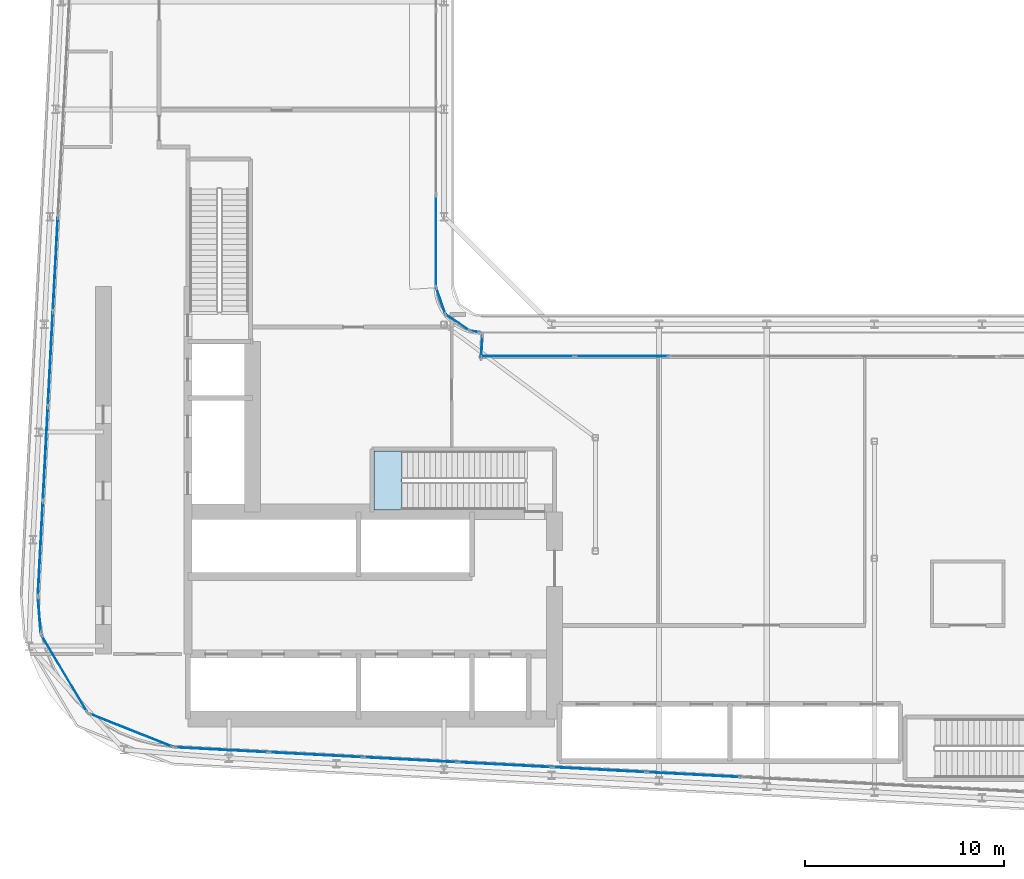
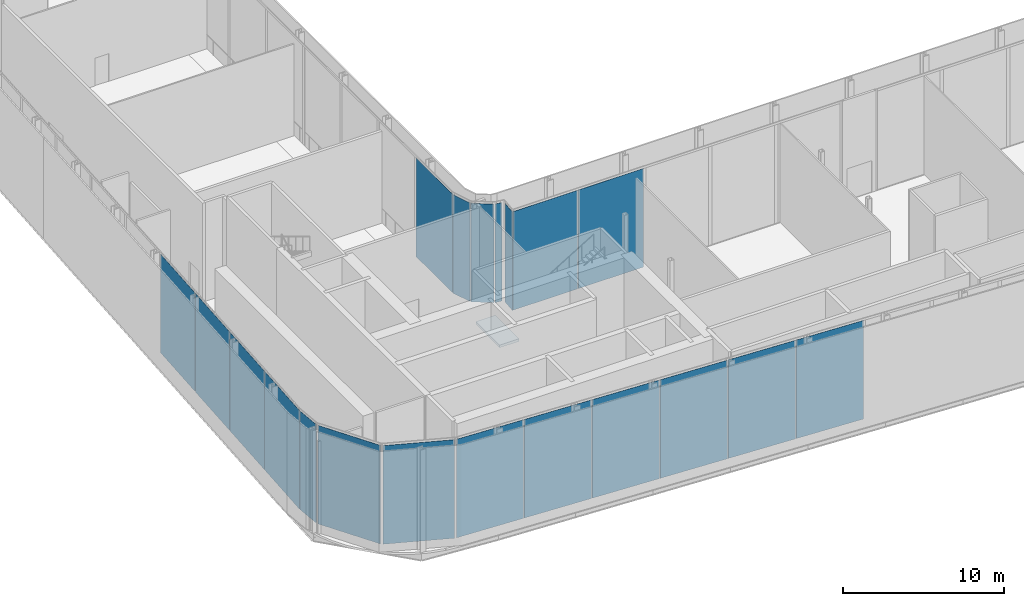
# One storey, part 22 of 37: 20 plates, 1 slab, 12 elements without a shape of their own.
"""IFC4 building model written with IfcOpenShell, lengths in metres."""

from ifc_helpers import new_model, si_unit, direction, frame, origin, origin_2d, place, context, subcontext, project, spatial, polyline, rectangle, outline, extrude, material, layer, layer_set, type_object, element, aggregate, save


model = new_model("IFC4")

# Units and contexts
model_context = context("Model", 3, precision=1e-05, world=origin(), true_north=direction((0.0, 1.0)))
body_context = subcontext(model_context, "Body", "Model", "MODEL_VIEW")
ifc_project = project(units=[si_unit("LENGTHUNIT", "METRE"), si_unit("AREAUNIT", "SQUARE_METRE"), si_unit("VOLUMEUNIT", "CUBIC_METRE"), si_unit("PLANEANGLEUNIT", "RADIAN"), si_unit("MASSUNIT", "GRAM", prefix="KILO")], contexts=[model_context])

# Site, building, storey
site_placement = place(None, origin())
site = spatial("IfcSite", under=ifc_project, at=site_placement, CompositionType="ELEMENT")
building_placement = place(site_placement, origin())
building = spatial("IfcBuilding", under=site, at=building_placement, Name="Kheshtan School and Residences Tower", CompositionType="ELEMENT")
storey_placement = place(building_placement, frame((0.0, 0.0, 144.800048828125)))
storey = spatial("IfcBuildingStorey", under=building, at=storey_placement, Name="L34", CompositionType="ELEMENT", Elevation=144.800048828125)

# Curtain wall, plates
ifc_material_1 = material(Name="Clear low-e glass in thermally broken aluminium frame", Category="aluminium")
ifc_layer_1 = layer(ifc_material_1, 0.25)
ifc_layer_set_1 = layer_set([ifc_layer_1], Name="Curtain wall CW-G")
curtain_wall_type_1 = type_object("IfcCurtainWallType", Name="Curtain wall CW-G", PredefinedType="NOTDEFINED", material=ifc_layer_set_1)
curtain_wall_1_placement = place(storey_placement, origin())
curtain_wall_1 = element("IfcCurtainWall", 1, at=curtain_wall_1_placement, inside=storey, type_object=curtain_wall_type_1, Name="Curtain wall CWG5", PredefinedType="NOTDEFINED")
ifc_layer_2 = layer(ifc_material_1, 0.0380859375)
ifc_layer_set_2 = layer_set([ifc_layer_2], Name="CW-G glass panel")
plate_type_1 = type_object("IfcPlateType", Name="CW-G glass panel", PredefinedType="CURTAIN_PANEL", material=ifc_layer_set_2)
plate_1_placement = place(storey_placement, frame((51.81640625, 44.0, 0.0), z_axis=(0.0, 0.0, 1.0), x_axis=(1.0, 0.0, 0.0)))
plate_1 = element("IfcPlate", 2, at=plate_1_placement, type_object=plate_type_1, Name="CWG5 panel 1.1", PredefinedType="CURTAIN_PANEL", context=body_context, shape_type="SweptSolid", body=[
    extrude(rectangle(XDim=4.647216796875, YDim=0.0380859375, at=origin_2d()), origin(), (0.0, 0.0, 1.0), 7.489990234375),
])
plate_2_placement = place(storey_placement, frame((56.5400390625, 44.0, 0.0), z_axis=(0.0, 0.0, 1.0), x_axis=(1.0, 0.0, 0.0)))
plate_2 = element("IfcPlate", 3, at=plate_2_placement, type_object=plate_type_1, Name="CWG5 panel 2.1", PredefinedType="CURTAIN_PANEL", context=body_context, shape_type="SweptSolid", body=[
    extrude(rectangle(XDim=4.679931640625, YDim=0.0380859375, at=origin_2d()), origin(), (0.0, 0.0, 1.0), 7.489990234375),
])
aggregate(curtain_wall_1, [plate_1, plate_2])

# Curtain wall, plate
ifc_layer_3 = layer(ifc_material_1, 0.25)
ifc_layer_set_3 = layer_set([ifc_layer_3], Name="Curtain wall CW-K")
curtain_wall_type_2 = type_object("IfcCurtainWallType", Name="Curtain wall CW-K", PredefinedType="NOTDEFINED", material=ifc_layer_set_3)
curtain_wall_2_placement = place(storey_placement, origin())
curtain_wall_2 = element("IfcCurtainWall", 4, at=curtain_wall_2_placement, inside=storey, type_object=curtain_wall_type_2, Name="Curtain wall CWK1", PredefinedType="NOTDEFINED")
ifc_layer_4 = layer(ifc_material_1, 0.0380859375)
ifc_layer_set_4 = layer_set([ifc_layer_4], Name="CW-K glass panel")
plate_type_2 = type_object("IfcPlateType", Name="CW-K glass panel", PredefinedType="CURTAIN_PANEL", material=ifc_layer_set_4)
plate_3_placement = place(storey_placement, frame((47.44140625, 46.78662109375, 0.0), z_axis=(0.0, 0.0, 1.0), x_axis=(0.326520252796, -0.945190205469, 0.0)))
plate_3 = element("IfcPlate", 5, at=plate_3_placement, type_object=plate_type_2, Name="CWK1 panel 1.1", PredefinedType="CURTAIN_PANEL", context=body_context, shape_type="SweptSolid", body=[
    extrude(rectangle(XDim=1.392822265625, YDim=0.0380859375, at=origin_2d()), origin(), (0.0, 0.0, 1.0), 7.489990234375),
])
aggregate(curtain_wall_2, [plate_3])

curtain_wall_3_placement = place(storey_placement, origin())
curtain_wall_3 = element("IfcCurtainWall", 6, at=curtain_wall_3_placement, inside=storey, type_object=curtain_wall_type_2, Name="Curtain wall CWK2", PredefinedType="NOTDEFINED")
plate_4_placement = place(storey_placement, frame((48.294677734375, 45.69091796875, 0.0), z_axis=(0.0, 0.0, 1.0), x_axis=(0.831352904033, -0.555744859586, 0.0)))
plate_4 = element("IfcPlate", 7, at=plate_4_placement, type_object=plate_type_2, Name="CWK2 panel 1.1", PredefinedType="CURTAIN_PANEL", context=body_context, shape_type="SweptSolid", body=[
    extrude(rectangle(XDim=1.419189453125, YDim=0.0380859375, at=origin_2d()), origin(), (0.0, 0.0, 1.0), 7.489990234375),
])
aggregate(curtain_wall_3, [plate_4])

curtain_wall_4_placement = place(storey_placement, origin())
curtain_wall_4 = element("IfcCurtainWall", 8, at=curtain_wall_4_placement, inside=storey, type_object=curtain_wall_type_2, Name="Curtain wall CWK3", PredefinedType="NOTDEFINED")
plate_5_placement = place(storey_placement, frame((49.166748046875, 45.240966796875, 0.0), z_axis=(0.0, 0.0, 1.0), x_axis=(0.990472214807, -0.137712714358, 0.0)))
plate_5 = element("IfcPlate", 9, at=plate_5_placement, type_object=plate_type_2, Name="CWK3 panel 1.1", PredefinedType="CURTAIN_PANEL", context=body_context, shape_type="SweptSolid", body=[
    extrude(rectangle(XDim=0.459716796875, YDim=0.0380859375, at=origin_2d()), origin(), (0.0, 0.0, 1.0), 7.489990234375),
])
aggregate(curtain_wall_4, [plate_5])

curtain_wall_5_placement = place(storey_placement, origin())
curtain_wall_5 = element("IfcCurtainWall", 10, at=curtain_wall_5_placement, inside=storey, type_object=curtain_wall_type_2, Name="Curtain wall CWK4", PredefinedType="NOTDEFINED")
plate_6_placement = place(storey_placement, frame((49.500244140625, 44.496826171875, 0.0), z_axis=(0.0, 0.0, 1.0), x_axis=(-0.065855059944, -0.997829199352, 0.0)))
plate_6 = element("IfcPlate", 11, at=plate_6_placement, type_object=plate_type_2, Name="CWK4 panel 1.1", PredefinedType="CURTAIN_PANEL", context=body_context, shape_type="SweptSolid", body=[
    extrude(rectangle(XDim=1.07958984375, YDim=0.0380859375, at=origin_2d()), origin(), (0.0, 0.0, 1.0), 7.489990234375),
])
aggregate(curtain_wall_5, [plate_6])

# Curtain wall, plates
curtain_wall_6_placement = place(storey_placement, origin())
curtain_wall_6 = element("IfcCurtainWall", 12, at=curtain_wall_6_placement, inside=storey, type_object=curtain_wall_type_2, Name="Curtain wall CWK14", PredefinedType="NOTDEFINED")
plate_7_placement = place(storey_placement, frame((60.135498046875, 23.00439453125, 0.0), z_axis=(0.0, 0.0, 1.0), x_axis=(-0.998617247391, 0.052569888839, 0.0)))
plate_7 = element("IfcPlate", 13, at=plate_7_placement, type_object=plate_type_2, Name="CWK14 panel 9.1", PredefinedType="CURTAIN_PANEL", context=body_context, shape_type="SweptSolid", body=[
    extrude(rectangle(XDim=4.6875, YDim=0.0380859375, at=origin_2d()), origin(), (0.0, 0.0, 1.0), 7.489990234375),
])
plate_8_placement = place(storey_placement, frame((55.39453125, 23.254150390625, 0.0), z_axis=(0.0, 0.0, 1.0), x_axis=(-0.998617247391, 0.052569888839, 0.0)))
plate_8 = element("IfcPlate", 14, at=plate_8_placement, type_object=plate_type_2, Name="CWK14 panel 10.1", PredefinedType="CURTAIN_PANEL", context=body_context, shape_type="SweptSolid", body=[
    extrude(rectangle(XDim=4.6875, YDim=0.0380859375, at=origin_2d()), origin(), (0.0, 0.0, 1.0), 7.489990234375),
])
plate_9_placement = place(storey_placement, frame((50.65380859375, 23.503662109375, 0.0), z_axis=(0.0, 0.0, 1.0), x_axis=(-0.998617247391, 0.052569888839, 0.0)))
plate_9 = element("IfcPlate", 15, at=plate_9_placement, type_object=plate_type_2, Name="CWK14 panel 11.1", PredefinedType="CURTAIN_PANEL", context=body_context, shape_type="SweptSolid", body=[
    extrude(rectangle(XDim=4.6875, YDim=0.0380859375, at=origin_2d()), origin(), (0.0, 0.0, 1.0), 7.489990234375),
])
plate_10_placement = place(storey_placement, frame((45.912841796875, 23.753173828125, 0.0), z_axis=(0.0, 0.0, 1.0), x_axis=(-0.998617247391, 0.052569888839, 0.0)))
plate_10 = element("IfcPlate", 16, at=plate_10_placement, type_object=plate_type_2, Name="CWK14 panel 12.1", PredefinedType="CURTAIN_PANEL", context=body_context, shape_type="SweptSolid", body=[
    extrude(rectangle(XDim=4.6875, YDim=0.0380859375, at=origin_2d()), origin(), (0.0, 0.0, 1.0), 7.489990234375),
])
plate_11_placement = place(storey_placement, frame((41.172119140625, 24.002685546875, 0.0), z_axis=(0.0, 0.0, 1.0), x_axis=(-0.998617247391, 0.052569888839, 0.0)))
plate_11 = element("IfcPlate", 17, at=plate_11_placement, type_object=plate_type_2, Name="CWK14 panel 13.1", PredefinedType="CURTAIN_PANEL", context=body_context, shape_type="SweptSolid", body=[
    extrude(rectangle(XDim=4.6875, YDim=0.0380859375, at=origin_2d()), origin(), (0.0, 0.0, 1.0), 7.489990234375),
])
plate_12_placement = place(storey_placement, frame((36.446044921875, 24.25146484375, 0.0), z_axis=(0.0, 0.0, 1.0), x_axis=(-0.998617247391, 0.052569888839, 0.0)))
plate_12 = element("IfcPlate", 18, at=plate_12_placement, type_object=plate_type_2, Name="CWK14 panel 14.1", PredefinedType="CURTAIN_PANEL", context=body_context, shape_type="SweptSolid", body=[
    extrude(rectangle(XDim=4.657470703125, YDim=0.0380859375, at=origin_2d()), origin(), (0.0, 0.0, 1.0), 7.489990234375),
])
aggregate(curtain_wall_6, [plate_7, plate_8, plate_9, plate_10, plate_11, plate_12])

# Curtain wall, plate
curtain_wall_7_placement = place(storey_placement, origin())
curtain_wall_7 = element("IfcCurtainWall", 19, at=curtain_wall_7_placement, inside=storey, type_object=curtain_wall_type_2, Name="Curtain wall CWK15", PredefinedType="NOTDEFINED")
plate_13_placement = place(storey_placement, frame((31.89501953125, 25.2314453125, 0.0), z_axis=(0.0, 0.0, 1.0), x_axis=(-0.929389950531, 0.369099336022, 0.0)))
plate_13 = element("IfcPlate", 20, at=plate_13_placement, type_object=plate_type_2, Name="CWK15 panel 1.1", PredefinedType="CURTAIN_PANEL", context=body_context, shape_type="SweptSolid", body=[
    extrude(rectangle(XDim=4.47216796875, YDim=0.0380859375, at=origin_2d()), origin(), (0.0, 0.0, 1.0), 7.489990234375),
])
aggregate(curtain_wall_7, [plate_13])

curtain_wall_8_placement = place(storey_placement, origin())
curtain_wall_8 = element("IfcCurtainWall", 21, at=curtain_wall_8_placement, inside=storey, type_object=curtain_wall_type_2, Name="Curtain wall CWK16", PredefinedType="NOTDEFINED")
plate_14_placement = place(storey_placement, frame((28.546142578125, 28.081787109375, 0.0), z_axis=(0.0, 0.0, 1.0), x_axis=(-0.511075392878, 0.85953588802, 0.0)))
plate_14 = element("IfcPlate", 22, at=plate_14_placement, type_object=plate_type_2, Name="CWK16 panel 1.1", PredefinedType="CURTAIN_PANEL", context=body_context, shape_type="SweptSolid", body=[
    extrude(rectangle(XDim=4.44287109375, YDim=0.0380859375, at=origin_2d()), origin(), (0.0, 0.0, 1.0), 7.489990234375),
])
aggregate(curtain_wall_8, [plate_14])

curtain_wall_9_placement = place(storey_placement, origin())
curtain_wall_9 = element("IfcCurtainWall", 23, at=curtain_wall_9_placement, inside=storey, type_object=curtain_wall_type_2, Name="Curtain wall CWK17", PredefinedType="NOTDEFINED")
plate_15_placement = place(storey_placement, frame((27.293212890625, 31.024658203125, 0.0), z_axis=(0.0, 0.0, 1.0), x_axis=(-0.077549452299, 0.996988506678, 0.0)))
plate_15 = element("IfcPlate", 24, at=plate_15_placement, type_object=plate_type_2, Name="CWK17 panel 1.1", PredefinedType="CURTAIN_PANEL", context=body_context, shape_type="SweptSolid", body=[
    extrude(rectangle(XDim=1.7626953125, YDim=0.0380859375, at=origin_2d()), origin(), (0.0, 0.0, 1.0), 7.489990234375),
])
aggregate(curtain_wall_9, [plate_15])

# Curtain wall, plates
curtain_wall_10_placement = place(storey_placement, origin())
curtain_wall_10 = element("IfcCurtainWall", 25, at=curtain_wall_10_placement, inside=storey, type_object=curtain_wall_type_2, Name="Curtain wall CWK18", PredefinedType="NOTDEFINED")
plate_16_placement = place(storey_placement, frame((27.343994140625, 34.3310546875, 0.0), z_axis=(0.0, 0.0, 1.0), x_axis=(0.05256513568, 0.998617497599, 0.0)))
plate_16 = element("IfcPlate", 26, at=plate_16_placement, type_object=plate_type_2, Name="CWK18 panel 1.1", PredefinedType="CURTAIN_PANEL", context=body_context, shape_type="SweptSolid", body=[
    extrude(rectangle(XDim=4.741455078125, YDim=0.0380859375, at=origin_2d()), origin(), (0.0, 0.0, 1.0), 7.489990234375),
])
plate_17_placement = place(storey_placement, frame((27.595458984375, 39.1044921875, 0.0), z_axis=(0.0, 0.0, 1.0), x_axis=(0.05256513568, 0.998617497599, 0.0)))
plate_17 = element("IfcPlate", 27, at=plate_17_placement, type_object=plate_type_2, Name="CWK18 panel 2.1", PredefinedType="CURTAIN_PANEL", context=body_context, shape_type="SweptSolid", body=[
    extrude(rectangle(XDim=4.69873046875, YDim=0.0380859375, at=origin_2d()), origin(), (0.0, 0.0, 1.0), 7.489990234375),
])
plate_18_placement = place(storey_placement, frame((27.845458984375, 43.856689453125, 0.0), z_axis=(0.0, 0.0, 1.0), x_axis=(0.05256513568, 0.998617497599, 0.0)))
plate_18 = element("IfcPlate", 28, at=plate_18_placement, type_object=plate_type_2, Name="CWK18 panel 3.1", PredefinedType="CURTAIN_PANEL", context=body_context, shape_type="SweptSolid", body=[
    extrude(rectangle(XDim=4.69873046875, YDim=0.0380859375, at=origin_2d()), origin(), (0.0, 0.0, 1.0), 7.489990234375),
])
plate_19_placement = place(storey_placement, frame((28.095703125, 48.608642578125, 0.0), z_axis=(0.0, 0.0, 1.0), x_axis=(0.05256513568, 0.998617497599, 0.0)))
plate_19 = element("IfcPlate", 29, at=plate_19_placement, type_object=plate_type_2, Name="CWK18 panel 4.1", PredefinedType="CURTAIN_PANEL", context=body_context, shape_type="SweptSolid", body=[
    extrude(rectangle(XDim=4.69873046875, YDim=0.0380859375, at=origin_2d()), origin(), (0.0, 0.0, 1.0), 7.489990234375),
])
aggregate(curtain_wall_10, [plate_16, plate_17, plate_18, plate_19])

# Curtain wall, plate
curtain_wall_11_placement = place(storey_placement, origin())
curtain_wall_11 = element("IfcCurtainWall", 30, at=curtain_wall_11_placement, inside=storey, type_object=curtain_wall_type_2, Name="Curtain wall CWK24", PredefinedType="NOTDEFINED")
plate_20_placement = place(storey_placement, frame((47.199951171875, 49.789306640625, 0.0), z_axis=(0.0, 0.0, 1.0), x_axis=(0.0, -1.0, 0.0)))
plate_20 = element("IfcPlate", 31, at=plate_20_placement, type_object=plate_type_2, Name="CWK24 panel 11.1", PredefinedType="CURTAIN_PANEL", context=body_context, shape_type="SweptSolid", body=[
    extrude(rectangle(XDim=4.572265625, YDim=0.0380859375, at=origin_2d()), origin(), (0.0, 0.0, 1.0), 7.489990234375),
])
aggregate(curtain_wall_11, [plate_20])

# Stair, slab
ifc_material_2 = material(Name="Concrete C40/50", Category="concrete")
stair_type = type_object("IfcStairType", Name="Exit stair, half-turn", PredefinedType="HALF_TURN_STAIR", material=ifc_material_2)
stair_placement = place(storey_placement, origin())
stair = element("IfcStair", 32, at=stair_placement, inside=storey, type_object=stair_type, Name="L34 Protected Exit Stair ST1", PredefinedType="HALF_TURN_STAIR")
ifc_layer_5 = layer(ifc_material_2, 0.199951171875)
ifc_layer_set_5 = layer_set([ifc_layer_5], Name="Stair landing 200 Concrete C40/50")
slab_type = type_object("IfcSlabType", Name="Stair landing 200 Concrete C40/50", PredefinedType="LANDING", material=ifc_layer_set_5)
slab_placement = place(storey_placement, frame((0.0, 0.0, 3.699951171875)))
slab = element("IfcSlab", 33, at=slab_placement, type_object=slab_type, Name="ST1 landing 1", PredefinedType="LANDING", context=body_context, shape_type="SweptSolid", body=[
    extrude(outline(polyline([(45.489990234375, 39.25), (44.090087890625, 39.25), (44.090087890625, 36.300048828125), (45.489990234375, 36.300048828125), (45.489990234375, 39.25)])), origin(), (0.0, 0.0, 1.0), 0.199951171875),
])
aggregate(stair, [slab])

save(model, "model.ifc")
